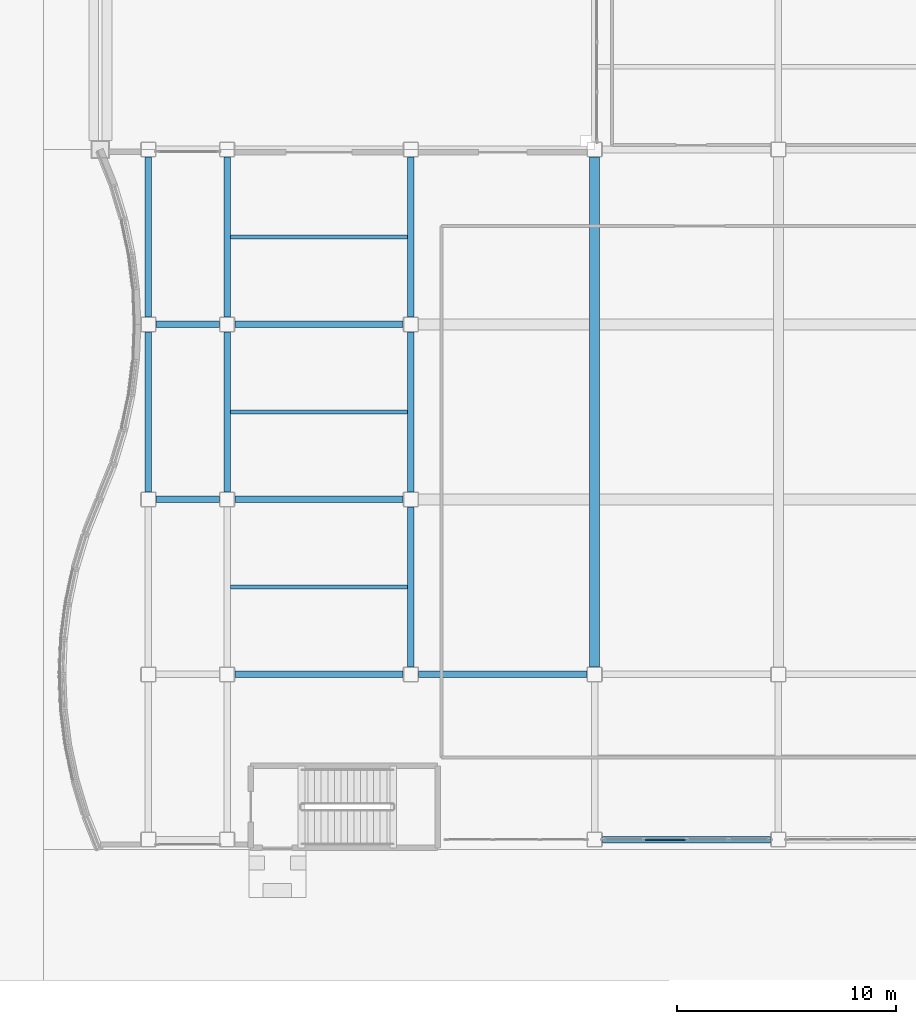
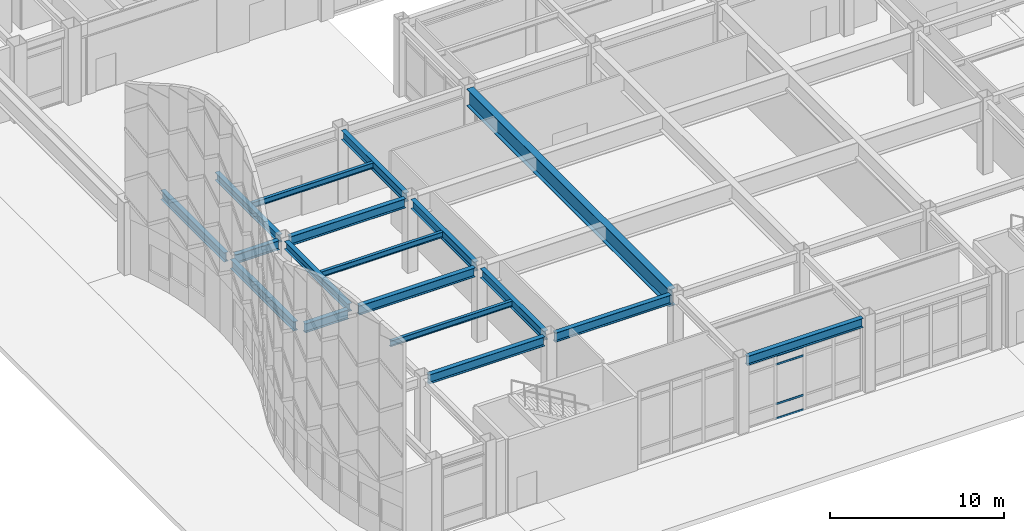
# One storey, part 10 of 165: 18 beams, 4 members, 1 element without a shape of its own.
"""IFC4 building model written with IfcOpenShell, lengths in metres."""

from ifc_helpers import new_model, si_unit, direction, frame, origin, origin_2d, place, context, subcontext, project, spatial, hollow_rectangle, i_section, extrude, material, layer, layer_set, material_profile, profile_set, type_object, element, aggregate, save


model = new_model("IFC4")

# Units and contexts
model_context = context("Model", 3, precision=1e-05, world=origin(), true_north=direction((0.0, 1.0)))
body_context = subcontext(model_context, "Body", "Model", "MODEL_VIEW")
ifc_project = project(units=[si_unit("LENGTHUNIT", "METRE"), si_unit("AREAUNIT", "SQUARE_METRE"), si_unit("VOLUMEUNIT", "CUBIC_METRE"), si_unit("PLANEANGLEUNIT", "RADIAN"), si_unit("MASSUNIT", "GRAM", prefix="KILO")], contexts=[model_context])

# Site, building, storey
site_placement = place(None, origin())
site = spatial("IfcSite", under=ifc_project, at=site_placement, CompositionType="ELEMENT")
building_placement = place(site_placement, origin())
building = spatial("IfcBuilding", under=site, at=building_placement, Name="Kazehara Bluff Congress Hotel", CompositionType="ELEMENT")
storey_placement = place(building_placement, origin())
storey = spatial("IfcBuildingStorey", under=building, at=storey_placement, Name="L00", CompositionType="ELEMENT", Elevation=0.0)

# Curtain wall, members
ifc_material_1 = material(Name="Anodised aluminium", Category="aluminium")
ifc_layer = layer(ifc_material_1, 0.159912109375)
ifc_layer_set = layer_set([ifc_layer], Name="Anodised aluminium")
curtain_wall_type = type_object("IfcCurtainWallType", Name="TP-CW-26", PredefinedType="NOTDEFINED", material=ifc_layer_set)
curtain_wall_placement = place(storey_placement, origin())
curtain_wall = element("IfcCurtainWall", 1, at=curtain_wall_placement, inside=storey, type_object=curtain_wall_type, Name="L00 curtain wall CW-26 CW-V2-L00-Y45-2555", PredefinedType="NOTDEFINED")
ifc_material_2 = material(Name="Anodised aluminium", Category="aluminium")
ifc_material_profile_1 = material_profile(ifc_material_2, hollow_rectangle(XDim=0.06494140625, YDim=0.139892578125, WallThickness=0.00390625, InnerFilletRadius=0.00390625, OuterFilletRadius=0.008056640625, at=origin_2d()))
ifc_profile_set_1 = profile_set([ifc_material_profile_1], Name="Anodised aluminium")
member_type = type_object("IfcMemberType", Name="TP-CWT-02", PredefinedType="USERDEFINED", material=ifc_profile_set_1)
member_1_placement = place(storey_placement, frame((27.510009765625, 0.449951171875, 0.032470703125), z_axis=(1.0, 0.0, 0.0), x_axis=(0.0, 1.0, 0.0)))
member_1 = element("IfcMember", 2, at=member_1_placement, type_object=member_type, Name="CW-26 transom 2.1", ObjectType="TRANSOM", PredefinedType="USERDEFINED", context=body_context, shape_type="SweptSolid", body=[
    extrude(hollow_rectangle(XDim=0.06494140625, YDim=0.139892578125, WallThickness=0.00390625, InnerFilletRadius=0.00390625, OuterFilletRadius=0.008056640625, at=origin_2d()), origin(), (0.0, 0.0, 1.0), 1.85498046875),
])
member_2_placement = place(storey_placement, frame((27.510009765625, 0.449951171875, 1.050048828125), z_axis=(1.0, 0.0, 0.0), x_axis=(0.0, 1.0, 0.0)))
member_2 = element("IfcMember", 3, at=member_2_placement, type_object=member_type, Name="CW-26 transom 2.2", ObjectType="TRANSOM", PredefinedType="USERDEFINED", context=body_context, shape_type="SweptSolid", body=[
    extrude(hollow_rectangle(XDim=0.06494140625, YDim=0.139892578125, WallThickness=0.00390625, InnerFilletRadius=0.00390625, OuterFilletRadius=0.008056640625, at=origin_2d()), origin(), (0.0, 0.0, 1.0), 1.85498046875),
])
member_3_placement = place(storey_placement, frame((27.510009765625, 0.449951171875, 3.824951171875), z_axis=(1.0, 0.0, 0.0), x_axis=(0.0, 1.0, 0.0)))
member_3 = element("IfcMember", 4, at=member_3_placement, type_object=member_type, Name="CW-26 transom 2.3", ObjectType="TRANSOM", PredefinedType="USERDEFINED", context=body_context, shape_type="SweptSolid", body=[
    extrude(hollow_rectangle(XDim=0.06494140625, YDim=0.139892578125, WallThickness=0.00390625, InnerFilletRadius=0.00390625, OuterFilletRadius=0.008056640625, at=origin_2d()), origin(), (0.0, 0.0, 1.0), 1.85498046875),
])
member_4_placement = place(storey_placement, frame((27.510009765625, 0.449951171875, 4.4423828125), z_axis=(1.0, 0.0, 0.0), x_axis=(0.0, 1.0, 0.0)))
member_4 = element("IfcMember", 5, at=member_4_placement, type_object=member_type, Name="CW-26 transom 2.4", ObjectType="TRANSOM", PredefinedType="USERDEFINED", context=body_context, shape_type="SweptSolid", body=[
    extrude(hollow_rectangle(XDim=0.06494140625, YDim=0.139892578125, WallThickness=0.00390625, InnerFilletRadius=0.00390625, OuterFilletRadius=0.008056640625, at=origin_2d()), origin(), (0.0, 0.0, 1.0), 1.85498046875),
])
aggregate(curtain_wall, [member_1, member_2, member_3, member_4])

# Beams
ifc_material_3 = material(Name="Steel SN490B", Category="steel")
ifc_material_profile_2 = material_profile(ifc_material_3, i_section(OverallWidth=0.300048828125, OverallDepth=0.64990234375, WebThickness=0.011962890625, FlangeThickness=0.02001953125, FilletRadius=0.012939453125, at=origin_2d()))
ifc_profile_set_2 = profile_set([ifc_material_profile_2], Name="Steel SN490B")
beam_type_1 = type_object("IfcBeamType", Name="TP-G-03", PredefinedType="BEAM", material=ifc_profile_set_2)
for number, where, z_axis, x_axis, name in (
    (6, (4.800048828125, 16.35009765625, 4.824951171875), (0.0, 1.0, 0.0), (-1.0, 0.0, 0.0), "L00 girder G-03 43"),
    (7, (4.800048828125, 24.35009765625, 4.824951171875), (0.0, 1.0, 0.0), (-1.0, 0.0, 0.0), "L00 girder G-03 44"),
    (8, (16.800048828125, 8.35009765625, 4.824951171875), (0.0, 1.0, 0.0), (-1.0, 0.0, 0.0), "L00 girder G-03 49"),
    (9, (16.800048828125, 16.35009765625, 4.824951171875), (0.0, 1.0, 0.0), (-1.0, 0.0, 0.0), "L00 girder G-03 50"),
    (10, (16.800048828125, 24.35009765625, 4.824951171875), (0.0, 1.0, 0.0), (-1.0, 0.0, 0.0), "L00 girder G-03 51"),
):
    element("IfcBeam", number, at=place(storey_placement, frame(where, z_axis=z_axis, x_axis=x_axis)), inside=storey, type_object=beam_type_1, Name=name, PredefinedType="BEAM", context=body_context, shape_type="SweptSolid", body=[
        extrude(i_section(OverallWidth=0.300048828125, OverallDepth=0.64990234375, WebThickness=0.011962890625, FlangeThickness=0.02001953125, FilletRadius=0.012939453125, at=origin_2d()), origin(), (0.0, 0.0, 1.0), 7.2998046875),
    ])
for number, where, z_axis, x_axis, name in (
    (11, (25.550048828125, 0.449951171875, 4.824951171875), (1.0, 0.0, 0.0), (0.0, 1.0, 0.0), "L00 girder G-03 71"),
    (12, (8.75, 8.0, 4.824951171875), (1.0, 0.0, 0.0), (0.0, 1.0, 0.0), "L00 girder G-03 74"),
):
    element("IfcBeam", number, at=place(storey_placement, frame(where, z_axis=z_axis, x_axis=x_axis)), inside=storey, type_object=beam_type_1, Name=name, PredefinedType="BEAM", context=body_context, shape_type="SweptSolid", body=[
        extrude(i_section(OverallWidth=0.300048828125, OverallDepth=0.64990234375, WebThickness=0.011962890625, FlangeThickness=0.02001953125, FilletRadius=0.012939453125, at=origin_2d()), origin(), (0.0, 0.0, 1.0), 7.699951171875),
    ])
beam_1_placement = place(storey_placement, frame((17.14990234375, 8.0, 4.824951171875), z_axis=(1.0, 0.0, 0.0), x_axis=(0.0, 1.0, 0.0)))
element("IfcBeam", 13, at=beam_1_placement, inside=storey, type_object=beam_type_1, Name="L00 girder G-03 75", PredefinedType="BEAM", context=body_context, shape_type="SweptSolid", body=[
    extrude(i_section(OverallWidth=0.300048828125, OverallDepth=0.64990234375, WebThickness=0.011962890625, FlangeThickness=0.02001953125, FilletRadius=0.012939453125, at=origin_2d()), origin(), (0.0, 0.0, 1.0), 7.7001953125),
])
beam_2_placement = place(storey_placement, frame((5.14990234375, 16.0, 4.824951171875), z_axis=(1.0, 0.0, 0.0), x_axis=(0.0, 1.0, 0.0)))
element("IfcBeam", 14, at=beam_2_placement, inside=storey, type_object=beam_type_1, Name="L00 girder G-03 80", PredefinedType="BEAM", context=body_context, shape_type="SweptSolid", body=[
    extrude(i_section(OverallWidth=0.300048828125, OverallDepth=0.64990234375, WebThickness=0.011962890625, FlangeThickness=0.02001953125, FilletRadius=0.012939453125, at=origin_2d()), origin(), (0.0, 0.0, 1.0), 2.900146484375),
])
beam_3_placement = place(storey_placement, frame((8.75, 16.0, 4.824951171875), z_axis=(1.0, 0.0, 0.0), x_axis=(0.0, 1.0, 0.0)))
element("IfcBeam", 15, at=beam_3_placement, inside=storey, type_object=beam_type_1, Name="L00 girder G-03 81", PredefinedType="BEAM", context=body_context, shape_type="SweptSolid", body=[
    extrude(i_section(OverallWidth=0.300048828125, OverallDepth=0.64990234375, WebThickness=0.011962890625, FlangeThickness=0.02001953125, FilletRadius=0.012939453125, at=origin_2d()), origin(), (0.0, 0.0, 1.0), 7.699951171875),
])
beam_4_placement = place(storey_placement, frame((5.14990234375, 24.0, 4.824951171875), z_axis=(1.0, 0.0, 0.0), x_axis=(0.0, 1.0, 0.0)))
element("IfcBeam", 16, at=beam_4_placement, inside=storey, type_object=beam_type_1, Name="L00 girder G-03 84", PredefinedType="BEAM", context=body_context, shape_type="SweptSolid", body=[
    extrude(i_section(OverallWidth=0.300048828125, OverallDepth=0.64990234375, WebThickness=0.011962890625, FlangeThickness=0.02001953125, FilletRadius=0.012939453125, at=origin_2d()), origin(), (0.0, 0.0, 1.0), 2.900146484375),
])
beam_5_placement = place(storey_placement, frame((8.75, 24.0, 4.824951171875), z_axis=(1.0, 0.0, 0.0), x_axis=(0.0, 1.0, 0.0)))
element("IfcBeam", 17, at=beam_5_placement, inside=storey, type_object=beam_type_1, Name="L00 girder G-03 85", PredefinedType="BEAM", context=body_context, shape_type="SweptSolid", body=[
    extrude(i_section(OverallWidth=0.300048828125, OverallDepth=0.64990234375, WebThickness=0.011962890625, FlangeThickness=0.02001953125, FilletRadius=0.012939453125, at=origin_2d()), origin(), (0.0, 0.0, 1.0), 7.699951171875),
])
ifc_material_4 = material(Name="Steel SN490B", Category="steel")
ifc_material_profile_3 = material_profile(ifc_material_4, i_section(OverallWidth=0.449951171875, OverallDepth=1.199951171875, WebThickness=0.02001953125, FlangeThickness=0.031982421875, at=origin_2d()))
ifc_profile_set_3 = profile_set([ifc_material_profile_3], Name="Steel SN490B")
beam_type_2 = type_object("IfcBeamType", Name="TP-G-10", PredefinedType="BEAM", material=ifc_profile_set_3)
beam_6_placement = place(storey_placement, frame((25.199951171875, 8.35009765625, 4.550048828125), z_axis=(0.0, 1.0, 0.0), x_axis=(-1.0, 0.0, 0.0)))
element("IfcBeam", 18, at=beam_6_placement, inside=storey, type_object=beam_type_2, Name="L00 girder G-10 53", PredefinedType="BEAM", context=body_context, shape_type="SweptSolid", body=[
    extrude(i_section(OverallWidth=0.449951171875, OverallDepth=1.199951171875, WebThickness=0.02001953125, FlangeThickness=0.031982421875, at=origin_2d()), origin(), (0.0, 0.0, 1.0), 23.2998046875),
])
ifc_material_5 = material(Name="Steel SN400B", Category="steel")
ifc_material_profile_4 = material_profile(ifc_material_5, i_section(OverallWidth=0.199951171875, OverallDepth=0.39990234375, WebThickness=0.008056640625, FlangeThickness=0.012939453125, FilletRadius=0.012939453125, at=origin_2d()))
ifc_profile_set_4 = profile_set([ifc_material_profile_4], Name="Steel SN400B")
beam_type_3 = type_object("IfcBeamType", Name="TP-J-03", PredefinedType="JOIST", material=ifc_profile_set_4)
for number, where, z_axis, x_axis, name in (
    (19, (8.550048828125, 12.0, 4.949951171875), (1.0, 0.0, 0.0), (0.0, 1.0, 0.0), "L00 secondary joist J-03 1"),
    (20, (8.550048828125, 20.0, 4.949951171875), (1.0, 0.0, 0.0), (0.0, 1.0, 0.0), "L00 secondary joist J-03 2"),
    (21, (8.550048828125, 28.0, 4.949951171875), (1.0, 0.0, 0.0), (0.0, 1.0, 0.0), "L00 secondary joist J-03 3"),
):
    element("IfcBeam", number, at=place(storey_placement, frame(where, z_axis=z_axis, x_axis=x_axis)), inside=storey, type_object=beam_type_3, Name=name, PredefinedType="JOIST", context=body_context, shape_type="SweptSolid", body=[
        extrude(i_section(OverallWidth=0.199951171875, OverallDepth=0.39990234375, WebThickness=0.008056640625, FlangeThickness=0.012939453125, FilletRadius=0.012939453125, at=origin_2d()), origin(), (0.0, 0.0, 1.0), 8.099853515625),
    ])
ifc_material_6 = material(Name="Steel SN490B", Category="steel")
ifc_material_profile_5 = material_profile(ifc_material_6, i_section(OverallWidth=0.300048828125, OverallDepth=0.550048828125, WebThickness=0.010986328125, FlangeThickness=0.01806640625, FilletRadius=0.012939453125, at=origin_2d()))
ifc_profile_set_5 = profile_set([ifc_material_profile_5], Name="Steel SN490B")
beam_type_4 = type_object("IfcBeamType", Name="TP-SP-01", PredefinedType="SPANDREL", material=ifc_profile_set_5)
for number, where, z_axis, x_axis, name in (
    (22, (8.39990234375, 16.35009765625, 4.875), (0.0, 1.0, 0.0), (-1.0, 0.0, 0.0), "L00 girder SP-01 47"),
    (23, (8.39990234375, 24.35009765625, 4.875), (0.0, 1.0, 0.0), (-1.0, 0.0, 0.0), "L00 girder SP-01 48"),
):
    element("IfcBeam", number, at=place(storey_placement, frame(where, z_axis=z_axis, x_axis=x_axis)), inside=storey, type_object=beam_type_4, Name=name, PredefinedType="SPANDREL", context=body_context, shape_type="SweptSolid", body=[
        extrude(i_section(OverallWidth=0.300048828125, OverallDepth=0.550048828125, WebThickness=0.010986328125, FlangeThickness=0.01806640625, FilletRadius=0.012939453125, at=origin_2d()), origin(), (0.0, 0.0, 1.0), 7.2998046875),
    ])

save(model, "model.ifc")
